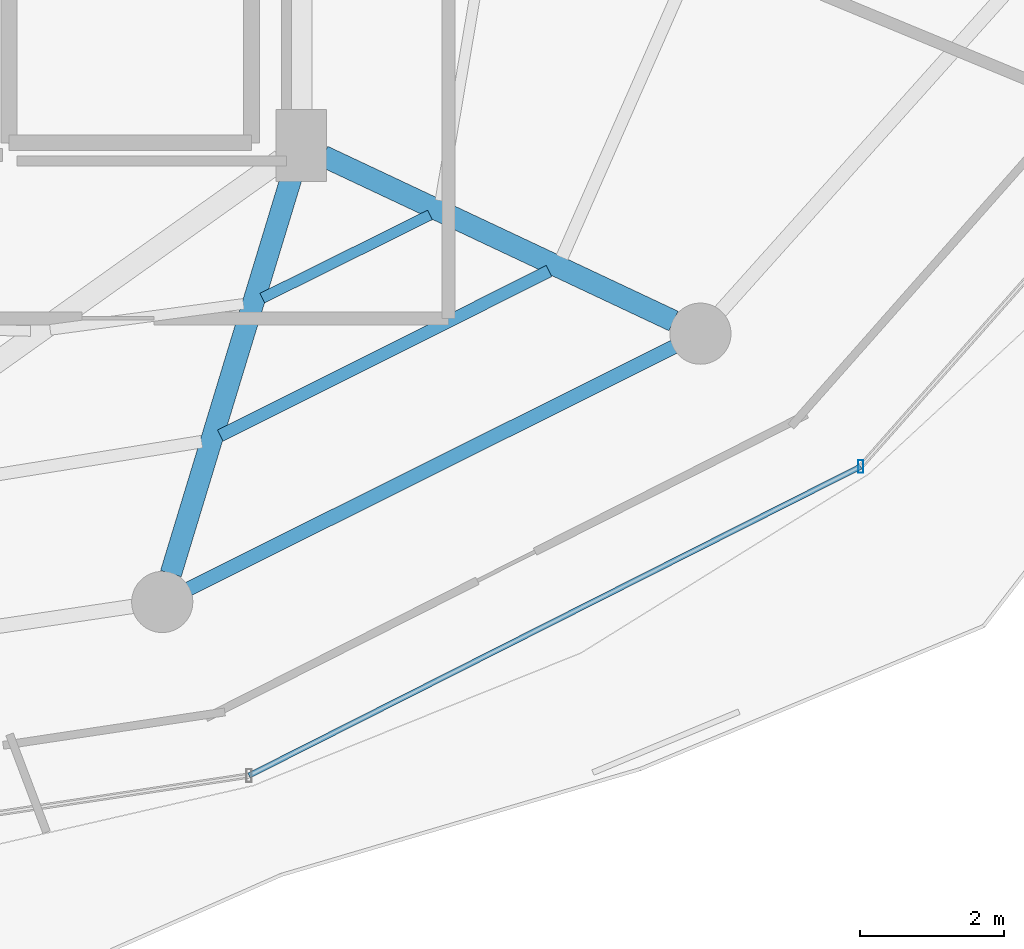
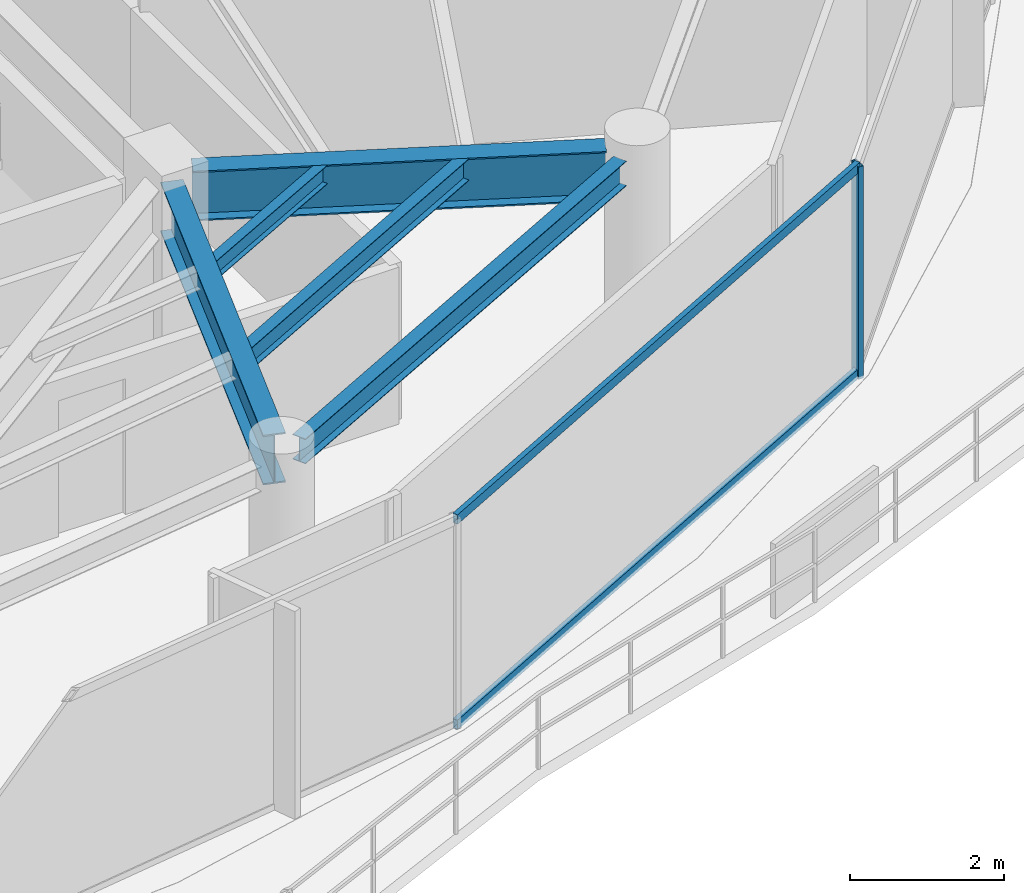
# One storey, part 11 of 30: 5 beams, 3 members, 1 element without a shape of its own.
"""IFC4 building model written with IfcOpenShell, lengths in metres."""

from ifc_helpers import new_model, si_unit, direction, frame, origin, origin_2d, place, context, subcontext, project, spatial, hollow_rectangle, i_section, extrude, material, material_profile, profile_set, type_object, element, aggregate, save


model = new_model("IFC4")

# Units and contexts
model_context = context("Model", 3, precision=1e-05, world=origin(), true_north=direction((0.0, 1.0)))
body_context = subcontext(model_context, "Body", "Model", "MODEL_VIEW")
ifc_project = project(units=[si_unit("LENGTHUNIT", "METRE"), si_unit("AREAUNIT", "SQUARE_METRE"), si_unit("VOLUMEUNIT", "CUBIC_METRE"), si_unit("PLANEANGLEUNIT", "RADIAN"), si_unit("MASSUNIT", "GRAM", prefix="KILO")], contexts=[model_context])

# Site, building, storey
site_placement = place(None, origin())
site = spatial("IfcSite", under=ifc_project, at=site_placement, CompositionType="ELEMENT")
building_placement = place(site_placement, origin())
building = spatial("IfcBuilding", under=site, at=building_placement, Name="Vorneva Point Tower", CompositionType="ELEMENT")
storey_placement = place(building_placement, frame((0.0, 0.0, 241.35009765625)))
storey = spatial("IfcBuildingStorey", under=building, at=storey_placement, Name="L65", CompositionType="ELEMENT", Elevation=241.35009765625)

# Beams
ifc_material_1 = material(Name="Steel S355", Category="steel")
ifc_material_profile_1 = material_profile(ifc_material_1, i_section(OverallWidth=0.300048828125, OverallDepth=0.7880859375, WebThickness=0.014404296875, FlangeThickness=0.02197265625, at=origin_2d()), Name="80Sh1")
ifc_profile_set_1 = profile_set([ifc_material_profile_1], Name="Steel S355")
beam_type_1 = type_object("IfcBeamType", Name="BM-GRD-80Sh1", PredefinedType="USERDEFINED", material=ifc_profile_set_1)
beam_1_placement = place(storey_placement, frame((46.941162109375, 10.50439453125, 2.89599609375), z_axis=(0.291032624293, 0.956713129207, 0.0), x_axis=(-0.956713129207, 0.291032624293, 0.0)))
element("IfcBeam", 1, at=beam_1_placement, inside=storey, type_object=beam_type_1, Name="L65 Radial Primary Girder 14", ObjectType="GIRDER", PredefinedType="USERDEFINED", context=body_context, shape_type="SweptSolid", body=[
    extrude(i_section(OverallWidth=0.300048828125, OverallDepth=0.7880859375, WebThickness=0.014404296875, FlangeThickness=0.02197265625, at=origin_2d()), origin(), (0.0, 0.0, 1.0), 5.874755859375),
])
beam_2_placement = place(storey_placement, frame((53.925048828125, 14.013671875, 2.89599609375), z_axis=(-0.904750812805, 0.425941271455, 0.0), x_axis=(-0.425941271455, -0.904750812805, 0.0)))
element("IfcBeam", 2, at=beam_2_placement, inside=storey, type_object=beam_type_1, Name="L65 Radial Primary Girder 15", ObjectType="GIRDER", PredefinedType="USERDEFINED", context=body_context, shape_type="SweptSolid", body=[
    extrude(i_section(OverallWidth=0.300048828125, OverallDepth=0.7880859375, WebThickness=0.014404296875, FlangeThickness=0.02197265625, at=origin_2d()), origin(), (0.0, 0.0, 1.0), 5.3798828125),
])
ifc_material_profile_2 = material_profile(ifc_material_1, i_section(OverallWidth=0.14892578125, OverallDepth=0.298095703125, WebThickness=0.005615234375, FlangeThickness=0.008056640625, at=origin_2d()), Name="30B1")
ifc_profile_set_2 = profile_set([ifc_material_profile_2], Name="Steel S355")
beam_type_2 = type_object("IfcBeamType", Name="BM-JST-30B1", PredefinedType="JOIST", material=ifc_profile_set_2)
beam_3_placement = place(storey_placement, frame((48.210205078125, 14.331298828125, 3.140869140625), z_axis=(0.895737278739, 0.444583768796, 0.0), x_axis=(-0.444583768796, 0.895737278739, 0.0)))
element("IfcBeam", 3, at=beam_3_placement, inside=storey, type_object=beam_type_2, Name="L65 Secondary Floor Beam 2.14", PredefinedType="JOIST", context=body_context, shape_type="SweptSolid", body=[
    extrude(i_section(OverallWidth=0.14892578125, OverallDepth=0.298095703125, WebThickness=0.005615234375, FlangeThickness=0.008056640625, at=origin_2d()), origin(), (0.0, 0.0, 1.0), 2.601318359375),
])
ifc_material_profile_3 = material_profile(ifc_material_1, i_section(OverallWidth=0.174072265625, OverallDepth=0.345947265625, WebThickness=0.006103515625, FlangeThickness=0.009033203125, at=origin_2d()), Name="35B1")
ifc_profile_set_3 = profile_set([ifc_material_profile_3], Name="Steel S355")
beam_type_3 = type_object("IfcBeamType", Name="BM-SEC-35B1", PredefinedType="BEAM", material=ifc_profile_set_3)
beam_4_placement = place(storey_placement, frame((47.62890625, 12.4208984375, 3.116943359375), z_axis=(0.894121037804, 0.447825378643, 0.0), x_axis=(-0.447825378643, 0.894121037804, 0.0)))
element("IfcBeam", 4, at=beam_4_placement, inside=storey, type_object=beam_type_3, Name="L65 Secondary Floor Beam 1.14", PredefinedType="BEAM", context=body_context, shape_type="SweptSolid", body=[
    extrude(i_section(OverallWidth=0.174072265625, OverallDepth=0.345947265625, WebThickness=0.006103515625, FlangeThickness=0.009033203125, at=origin_2d()), origin(), (0.0, 0.0, 1.0), 5.107177734375),
])
ifc_material_profile_4 = material_profile(ifc_material_1, i_section(OverallWidth=0.198974609375, OverallDepth=0.39599609375, WebThickness=0.007080078125, FlangeThickness=0.010986328125, at=origin_2d()), Name="40B1")
ifc_profile_set_4 = profile_set([ifc_material_profile_4], Name="Steel S355")
beam_type_4 = type_object("IfcBeamType", Name="BM-SPN-40B1", PredefinedType="SPANDREL", material=ifc_profile_set_4)
beam_5_placement = place(storey_placement, frame((47.187744140625, 10.292236328125, 3.091796875), z_axis=(0.894932011528, 0.446202526599, 0.0), x_axis=(-0.446202526599, 0.894932011528, 0.0)))
element("IfcBeam", 5, at=beam_5_placement, inside=storey, type_object=beam_type_4, Name="L65 Perimeter Spandrel Ring Beam 14", PredefinedType="SPANDREL", context=body_context, shape_type="SweptSolid", body=[
    extrude(i_section(OverallWidth=0.198974609375, OverallDepth=0.39599609375, WebThickness=0.007080078125, FlangeThickness=0.010986328125, at=origin_2d()), origin(), (0.0, 0.0, 1.0), 7.535888671875),
])

# Curtain wall, members
ifc_material_2 = material(Name="Pale anodised aluminium", Category="aluminium")
curtain_wall_type = type_object("IfcCurtainWallType", Name="CW-RES-SYS", PredefinedType="NOTDEFINED", material=ifc_material_2)
curtain_wall_placement = place(storey_placement, origin())
curtain_wall = element("IfcCurtainWall", 6, at=curtain_wall_placement, inside=storey, type_object=curtain_wall_type, Name="L65 Unitised Curtain Wall CW-L65-R04", PredefinedType="NOTDEFINED")
ifc_material_profile_5 = material_profile(ifc_material_2, hollow_rectangle(XDim=0.074951171875, YDim=0.179931640625, WallThickness=0.00390625, at=origin_2d()), Name="AL-MUL 180x75x4")
ifc_profile_set_5 = profile_set([ifc_material_profile_5], Name="Pale anodised aluminium")
member_type_1 = type_object("IfcMemberType", Name="CW-MUL-180", PredefinedType="MULLION", material=ifc_profile_set_5)
member_1_placement = place(storey_placement, frame((56.526123046875, 11.9921875, -0.0400390625), z_axis=(0.0, 0.0, 1.0), x_axis=(1.0, 0.0, 0.0)))
member_1 = element("IfcMember", 7, at=member_1_placement, type_object=member_type_1, Name="CW-L65-R04 Mullion 05", PredefinedType="MULLION", context=body_context, shape_type="SweptSolid", body=[
    extrude(hollow_rectangle(XDim=0.074951171875, YDim=0.179931640625, WallThickness=0.00390625, at=origin_2d()), origin(), (0.0, 0.0, 1.0), 3.35986328125),
])
ifc_material_profile_6 = material_profile(ifc_material_2, hollow_rectangle(XDim=0.074951171875, YDim=0.14990234375, WallThickness=0.00390625, at=origin_2d()), Name="AL-TRN 150x75x4")
ifc_profile_set_6 = profile_set([ifc_material_profile_6], Name="Pale anodised aluminium")
member_type_2 = type_object("IfcMemberType", Name="CW-TRN-150", PredefinedType="USERDEFINED", material=ifc_profile_set_6)
member_2_placement = place(storey_placement, frame((48.0263671875, 7.697998046875, 0.02001953125), z_axis=(0.892558185815, 0.450932239848, 0.0), x_axis=(-0.450932239848, 0.892558185815, 0.0)))
member_2 = element("IfcMember", 8, at=member_2_placement, type_object=member_type_2, Name="CW-L65-R04 Transom 04.1", ObjectType="TRANSOM", PredefinedType="USERDEFINED", context=body_context, shape_type="SweptSolid", body=[
    extrude(hollow_rectangle(XDim=0.074951171875, YDim=0.14990234375, WallThickness=0.00390625, at=origin_2d()), origin(), (0.0, 0.0, 1.0), 9.52294921875),
])
member_3_placement = place(storey_placement, frame((48.0263671875, 7.697998046875, 3.27001953125), z_axis=(0.892558185815, 0.450932239848, 0.0), x_axis=(-0.450932239848, 0.892558185815, 0.0)))
member_3 = element("IfcMember", 9, at=member_3_placement, type_object=member_type_2, Name="CW-L65-R04 Transom 04.2", ObjectType="TRANSOM", PredefinedType="USERDEFINED", context=body_context, shape_type="SweptSolid", body=[
    extrude(hollow_rectangle(XDim=0.074951171875, YDim=0.14990234375, WallThickness=0.00390625, at=origin_2d()), origin(), (0.0, 0.0, 1.0), 9.52294921875),
])
aggregate(curtain_wall, [member_1, member_2, member_3])

save(model, "model.ifc")
